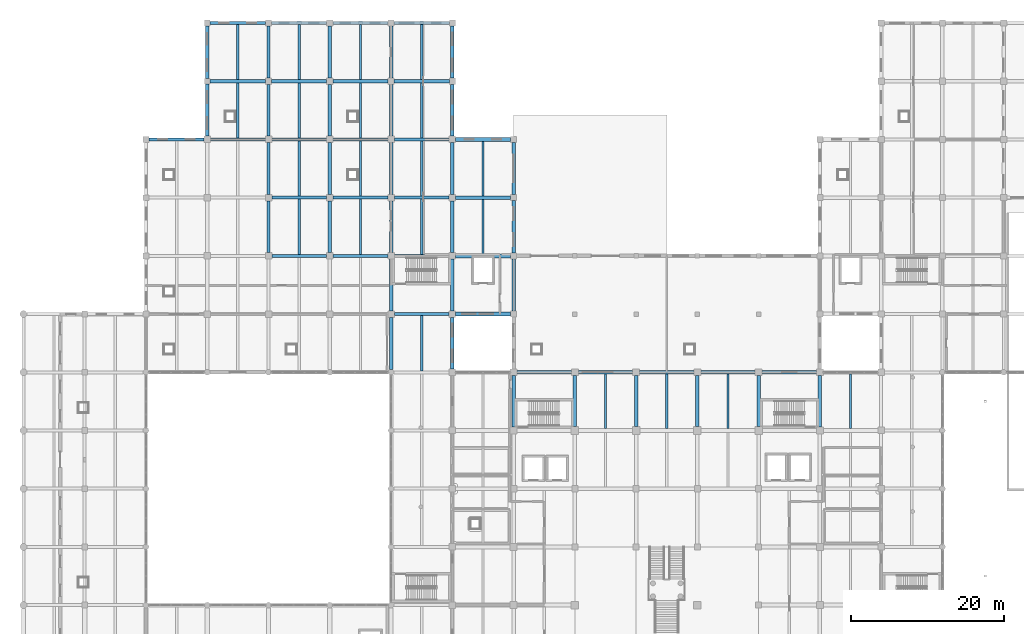
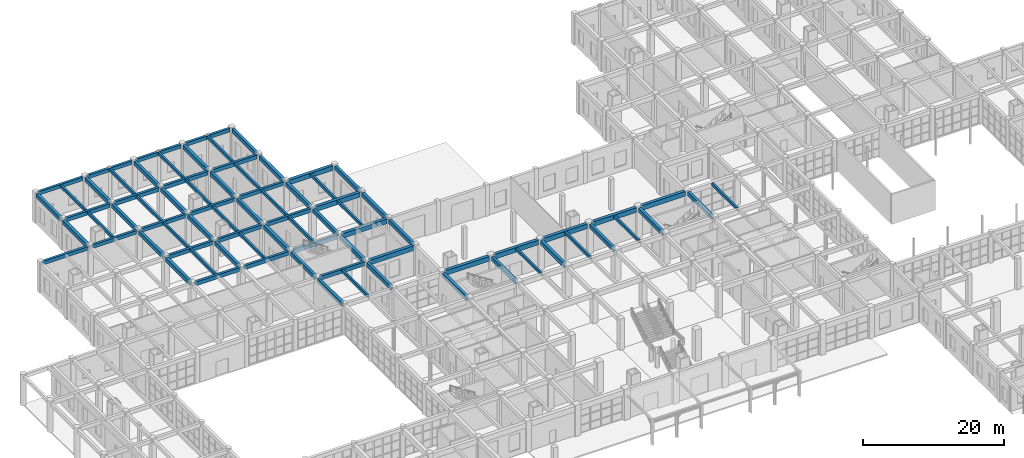
# One storey, part 44 of 95: 81 beams.
"""IFC4 building model written with IfcOpenShell, lengths in metres."""

from ifc_helpers import new_model, si_unit, direction, frame, origin, origin_2d, place, context, subcontext, project, spatial, rectangle, extrude, material, material_profile, profile_set, type_object, element, save


model = new_model("IFC4")

# Units and contexts
model_context = context("Model", 3, precision=1e-05, world=origin(), true_north=direction((0.0, 1.0)))
body_context = subcontext(model_context, "Body", "Model", "MODEL_VIEW")
ifc_project = project(units=[si_unit("LENGTHUNIT", "METRE"), si_unit("AREAUNIT", "SQUARE_METRE"), si_unit("VOLUMEUNIT", "CUBIC_METRE"), si_unit("PLANEANGLEUNIT", "RADIAN"), si_unit("MASSUNIT", "GRAM", prefix="KILO")], contexts=[model_context])

# Site, building, storey
site_placement = place(None, origin())
site = spatial("IfcSite", under=ifc_project, at=site_placement, CompositionType="ELEMENT")
building_placement = place(site_placement, origin())
building = spatial("IfcBuilding", under=site, at=building_placement, Name="Zantavel Square City Hall", CompositionType="ELEMENT")
storey_placement = place(building_placement, origin())
storey = spatial("IfcBuildingStorey", under=building, at=storey_placement, Name="L01", CompositionType="ELEMENT", Elevation=0.0)

# Beams
ifc_material = material(Name="Concrete C35/45", Category="concrete")
ifc_material_profile_1 = material_profile(ifc_material, rectangle(XDim=0.300048828125, YDim=0.5, at=origin_2d()), Name="RC 300x500")
ifc_profile_set_1 = profile_set([ifc_material_profile_1], Name="Concrete C35/45")
beam_type_1 = type_object("IfcBeamType", Name="Floor Joist RC 300x500 C35/45", PredefinedType="JOIST", material=ifc_profile_set_1)
for number, where, z_axis, x_axis, name in (
    (1, (28.0, 99.0, 4.909912109375), (0.0, 1.0, 0.0), (-1.0, 0.0, 0.0), "L01 Floor Joist JST-L01-0280-0988"),
    (2, (28.0, 106.60009765625, 4.909912109375), (0.0, 1.0, 0.0), (-1.0, 0.0, 0.0), "L01 Floor Joist JST-L01-0280-1064"),
    (3, (36.0, 83.800048828125, 4.909912109375), (0.0, 1.0, 0.0), (-1.0, 0.0, 0.0), "L01 Floor Joist JST-L01-0360-0836"),
):
    element("IfcBeam", number, at=place(storey_placement, frame(where, z_axis=z_axis, x_axis=x_axis)), inside=storey, type_object=beam_type_1, Name=name, PredefinedType="JOIST", context=body_context, shape_type="SweptSolid", body=[
        extrude(rectangle(XDim=0.300048828125, YDim=0.5, at=origin_2d()), origin(), (0.0, 0.0, 1.0), 7.199951171875),
    ])
beam_1_placement = place(storey_placement, frame((36.0, 91.39990234375, 4.909912109375), z_axis=(0.0, 1.0, 0.0), x_axis=(-1.0, 0.0, 0.0)))
element("IfcBeam", 4, at=beam_1_placement, inside=storey, type_object=beam_type_1, Name="L01 Floor Joist JST-L01-0360-0912", PredefinedType="JOIST", context=body_context, shape_type="SweptSolid", body=[
    extrude(rectangle(XDim=0.300048828125, YDim=0.5, at=origin_2d()), origin(), (0.0, 0.0, 1.0), 7.2001953125),
])
for number, where, z_axis, x_axis, name in (
    (5, (36.0, 99.0, 4.909912109375), (0.0, 1.0, 0.0), (-1.0, 0.0, 0.0), "L01 Floor Joist JST-L01-0360-0988"),
    (6, (36.0, 106.60009765625, 4.909912109375), (0.0, 1.0, 0.0), (-1.0, 0.0, 0.0), "L01 Floor Joist JST-L01-0360-1064"),
    (7, (44.0, 83.800048828125, 4.909912109375), (0.0, 1.0, 0.0), (-1.0, 0.0, 0.0), "L01 Floor Joist JST-L01-0440-0836"),
):
    element("IfcBeam", number, at=place(storey_placement, frame(where, z_axis=z_axis, x_axis=x_axis)), inside=storey, type_object=beam_type_1, Name=name, PredefinedType="JOIST", context=body_context, shape_type="SweptSolid", body=[
        extrude(rectangle(XDim=0.300048828125, YDim=0.5, at=origin_2d()), origin(), (0.0, 0.0, 1.0), 7.199951171875),
    ])
beam_2_placement = place(storey_placement, frame((44.0, 91.39990234375, 4.909912109375), z_axis=(0.0, 1.0, 0.0), x_axis=(-1.0, 0.0, 0.0)))
element("IfcBeam", 8, at=beam_2_placement, inside=storey, type_object=beam_type_1, Name="L01 Floor Joist JST-L01-0440-0912", PredefinedType="JOIST", context=body_context, shape_type="SweptSolid", body=[
    extrude(rectangle(XDim=0.300048828125, YDim=0.5, at=origin_2d()), origin(), (0.0, 0.0, 1.0), 7.2001953125),
])
for number, where, z_axis, x_axis, name in (
    (9, (44.0, 99.0, 4.909912109375), (0.0, 1.0, 0.0), (-1.0, 0.0, 0.0), "L01 Floor Joist JST-L01-0440-0988"),
    (10, (44.0, 106.60009765625, 4.909912109375), (0.0, 1.0, 0.0), (-1.0, 0.0, 0.0), "L01 Floor Joist JST-L01-0440-1064"),
    (11, (52.0, 68.60009765625, 4.909912109375), (0.0, 1.0, 0.0), (-1.0, 0.0, 0.0), "L01 Floor Joist JST-L01-0520-0684"),
    (12, (52.0, 83.800048828125, 4.909912109375), (0.0, 1.0, 0.0), (-1.0, 0.0, 0.0), "L01 Floor Joist JST-L01-0520-0836"),
):
    element("IfcBeam", number, at=place(storey_placement, frame(where, z_axis=z_axis, x_axis=x_axis)), inside=storey, type_object=beam_type_1, Name=name, PredefinedType="JOIST", context=body_context, shape_type="SweptSolid", body=[
        extrude(rectangle(XDim=0.300048828125, YDim=0.5, at=origin_2d()), origin(), (0.0, 0.0, 1.0), 7.199951171875),
    ])
beam_3_placement = place(storey_placement, frame((52.0, 91.39990234375, 4.909912109375), z_axis=(0.0, 1.0, 0.0), x_axis=(-1.0, 0.0, 0.0)))
element("IfcBeam", 13, at=beam_3_placement, inside=storey, type_object=beam_type_1, Name="L01 Floor Joist JST-L01-0520-0912", PredefinedType="JOIST", context=body_context, shape_type="SweptSolid", body=[
    extrude(rectangle(XDim=0.300048828125, YDim=0.5, at=origin_2d()), origin(), (0.0, 0.0, 1.0), 7.2001953125),
])
for number, where, z_axis, x_axis, name in (
    (14, (52.0, 99.0, 4.909912109375), (0.0, 1.0, 0.0), (-1.0, 0.0, 0.0), "L01 Floor Joist JST-L01-0520-0988"),
    (15, (52.0, 106.60009765625, 4.909912109375), (0.0, 1.0, 0.0), (-1.0, 0.0, 0.0), "L01 Floor Joist JST-L01-0520-1064"),
):
    element("IfcBeam", number, at=place(storey_placement, frame(where, z_axis=z_axis, x_axis=x_axis)), inside=storey, type_object=beam_type_1, Name=name, PredefinedType="JOIST", context=body_context, shape_type="SweptSolid", body=[
        extrude(rectangle(XDim=0.300048828125, YDim=0.5, at=origin_2d()), origin(), (0.0, 0.0, 1.0), 7.199951171875),
    ])
beam_4_placement = place(storey_placement, frame((60.0, 83.85009765625, 4.909912109375), z_axis=(0.0, 1.0, 0.0), x_axis=(-1.0, 0.0, 0.0)))
element("IfcBeam", 16, at=beam_4_placement, inside=storey, type_object=beam_type_1, Name="L01 Floor Joist JST-L01-0600-0836", PredefinedType="JOIST", context=body_context, shape_type="SweptSolid", body=[
    extrude(rectangle(XDim=0.300048828125, YDim=0.5, at=origin_2d()), origin(), (0.0, 0.0, 1.0), 7.099853515625),
])
beam_5_placement = place(storey_placement, frame((60.0, 91.449951171875, 4.909912109375), z_axis=(0.0, 1.0, 0.0), x_axis=(-1.0, 0.0, 0.0)))
element("IfcBeam", 17, at=beam_5_placement, inside=storey, type_object=beam_type_1, Name="L01 Floor Joist JST-L01-0600-0912", PredefinedType="JOIST", context=body_context, shape_type="SweptSolid", body=[
    extrude(rectangle(XDim=0.300048828125, YDim=0.5, at=origin_2d()), origin(), (0.0, 0.0, 1.0), 7.10009765625),
])
for number, where, z_axis, x_axis, name in (
    (18, (76.0, 61.050048828125, 4.909912109375), (0.0, 1.0, 0.0), (-1.0, 0.0, 0.0), "L01 Floor Joist JST-L01-0760-0608"),
    (19, (84.0, 61.050048828125, 4.909912109375), (0.0, 1.0, 0.0), (-1.0, 0.0, 0.0), "L01 Floor Joist JST-L01-0840-0608"),
    (20, (92.0, 61.050048828125, 4.909912109375), (0.0, 1.0, 0.0), (-1.0, 0.0, 0.0), "L01 Floor Joist JST-L01-0920-0608"),
    (21, (108.0, 61.050048828125, 4.909912109375), (0.0, 1.0, 0.0), (-1.0, 0.0, 0.0), "L01 Floor Joist JST-L01-1080-0608"),
):
    element("IfcBeam", number, at=place(storey_placement, frame(where, z_axis=z_axis, x_axis=x_axis)), inside=storey, type_object=beam_type_1, Name=name, PredefinedType="JOIST", context=body_context, shape_type="SweptSolid", body=[
        extrude(rectangle(XDim=0.300048828125, YDim=0.5, at=origin_2d()), origin(), (0.0, 0.0, 1.0), 7.099853515625),
    ])
ifc_material_profile_2 = material_profile(ifc_material, rectangle(XDim=0.39990234375, YDim=0.64990234375, at=origin_2d()), Name="RC 400x650")
ifc_profile_set_2 = profile_set([ifc_material_profile_2], Name="Concrete C35/45")
beam_type_2 = type_object("IfcBeamType", Name="Frame Beam RC 400x650 C35/45", PredefinedType="BEAM", material=ifc_profile_set_2)
beam_6_placement = place(storey_placement, frame((24.375, 106.39990234375, 4.8349609375), z_axis=(1.0, 0.0, 0.0), x_axis=(0.0, 1.0, 0.0)))
element("IfcBeam", 22, at=beam_6_placement, inside=storey, type_object=beam_type_2, Name="L01 Girder BMX-L01-0240-1064", PredefinedType="BEAM", context=body_context, shape_type="SweptSolid", body=[
    extrude(rectangle(XDim=0.39990234375, YDim=0.64990234375, at=origin_2d()), origin(), (0.0, 0.0, 1.0), 7.22509765625),
])
for number, where, z_axis, x_axis, name in (
    (23, (32.425048828125, 83.60009765625, 4.8349609375), (1.0, 0.0, 0.0), (0.0, 1.0, 0.0), "L01 Girder BMX-L01-0320-0836"),
    (24, (32.425048828125, 91.199951171875, 4.8349609375), (1.0, 0.0, 0.0), (0.0, 1.0, 0.0), "L01 Girder BMX-L01-0320-0912"),
):
    element("IfcBeam", number, at=place(storey_placement, frame(where, z_axis=z_axis, x_axis=x_axis)), inside=storey, type_object=beam_type_2, Name=name, PredefinedType="BEAM", context=body_context, shape_type="SweptSolid", body=[
        extrude(rectangle(XDim=0.39990234375, YDim=0.64990234375, at=origin_2d()), origin(), (0.0, 0.0, 1.0), 7.14990234375),
    ])
beam_7_placement = place(storey_placement, frame((32.39990234375, 106.39990234375, 4.8349609375), z_axis=(1.0, 0.0, 0.0), x_axis=(0.0, 1.0, 0.0)))
element("IfcBeam", 25, at=beam_7_placement, inside=storey, type_object=beam_type_2, Name="L01 Girder BMX-L01-0320-1064", PredefinedType="BEAM", context=body_context, shape_type="SweptSolid", body=[
    extrude(rectangle(XDim=0.39990234375, YDim=0.64990234375, at=origin_2d()), origin(), (0.0, 0.0, 1.0), 7.2001953125),
])
for number, where, z_axis, x_axis, name in (
    (26, (40.425048828125, 83.60009765625, 4.8349609375), (1.0, 0.0, 0.0), (0.0, 1.0, 0.0), "L01 Girder BMX-L01-0400-0836"),
    (27, (40.425048828125, 91.199951171875, 4.8349609375), (1.0, 0.0, 0.0), (0.0, 1.0, 0.0), "L01 Girder BMX-L01-0400-0912"),
):
    element("IfcBeam", number, at=place(storey_placement, frame(where, z_axis=z_axis, x_axis=x_axis)), inside=storey, type_object=beam_type_2, Name=name, PredefinedType="BEAM", context=body_context, shape_type="SweptSolid", body=[
        extrude(rectangle(XDim=0.39990234375, YDim=0.64990234375, at=origin_2d()), origin(), (0.0, 0.0, 1.0), 7.14990234375),
    ])
beam_8_placement = place(storey_placement, frame((40.39990234375, 106.39990234375, 4.8349609375), z_axis=(1.0, 0.0, 0.0), x_axis=(0.0, 1.0, 0.0)))
element("IfcBeam", 28, at=beam_8_placement, inside=storey, type_object=beam_type_2, Name="L01 Girder BMX-L01-0400-1064", PredefinedType="BEAM", context=body_context, shape_type="SweptSolid", body=[
    extrude(rectangle(XDim=0.39990234375, YDim=0.64990234375, at=origin_2d()), origin(), (0.0, 0.0, 1.0), 7.2001953125),
])
for number, where, z_axis, x_axis, name in (
    (29, (48.425048828125, 76.0, 4.8349609375), (1.0, 0.0, 0.0), (0.0, 1.0, 0.0), "L01 Girder BMX-L01-0480-0760"),
    (30, (48.425048828125, 83.60009765625, 4.8349609375), (1.0, 0.0, 0.0), (0.0, 1.0, 0.0), "L01 Girder BMX-L01-0480-0836"),
    (31, (48.425048828125, 91.199951171875, 4.8349609375), (1.0, 0.0, 0.0), (0.0, 1.0, 0.0), "L01 Girder BMX-L01-0480-0912"),
):
    element("IfcBeam", number, at=place(storey_placement, frame(where, z_axis=z_axis, x_axis=x_axis)), inside=storey, type_object=beam_type_2, Name=name, PredefinedType="BEAM", context=body_context, shape_type="SweptSolid", body=[
        extrude(rectangle(XDim=0.39990234375, YDim=0.64990234375, at=origin_2d()), origin(), (0.0, 0.0, 1.0), 7.14990234375),
    ])
beam_9_placement = place(storey_placement, frame((48.39990234375, 106.39990234375, 4.8349609375), z_axis=(1.0, 0.0, 0.0), x_axis=(0.0, 1.0, 0.0)))
element("IfcBeam", 32, at=beam_9_placement, inside=storey, type_object=beam_type_2, Name="L01 Girder BMX-L01-0480-1064", PredefinedType="BEAM", context=body_context, shape_type="SweptSolid", body=[
    extrude(rectangle(XDim=0.39990234375, YDim=0.64990234375, at=origin_2d()), origin(), (0.0, 0.0, 1.0), 7.2001953125),
])
ifc_material_profile_3 = material_profile(ifc_material, rectangle(XDim=0.39990234375, YDim=0.60009765625, at=origin_2d()), Name="RC 400x600")
ifc_profile_set_3 = profile_set([ifc_material_profile_3], Name="Concrete C35/45")
beam_type_3 = type_object("IfcBeamType", Name="Perimeter Spandrel RC 400x600 C35/45", PredefinedType="SPANDREL", material=ifc_profile_set_3)
beam_10_placement = place(storey_placement, frame((16.375, 98.800048828125, 4.860107421875), z_axis=(1.0, 0.0, 0.0), x_axis=(0.0, 1.0, 0.0)))
element("IfcBeam", 33, at=beam_10_placement, inside=storey, type_object=beam_type_3, Name="L01 Girder BMX-L01-0160-0988", PredefinedType="SPANDREL", context=body_context, shape_type="SweptSolid", body=[
    extrude(rectangle(XDim=0.39990234375, YDim=0.60009765625, at=origin_2d()), origin(), (0.0, 0.0, 1.0), 7.199951171875),
])
beam_11_placement = place(storey_placement, frame((24.425048828125, 98.800048828125, 4.860107421875), z_axis=(1.0, 0.0, 0.0), x_axis=(0.0, 1.0, 0.0)))
element("IfcBeam", 34, at=beam_11_placement, inside=storey, type_object=beam_type_3, Name="L01 Girder BMX-L01-0240-0988", PredefinedType="SPANDREL", context=body_context, shape_type="SweptSolid", body=[
    extrude(rectangle(XDim=0.39990234375, YDim=0.60009765625, at=origin_2d()), origin(), (0.0, 0.0, 1.0), 7.14990234375),
])
beam_12_placement = place(storey_placement, frame((24.375, 114.0, 4.860107421875), z_axis=(1.0, 0.0, 0.0), x_axis=(0.0, 1.0, 0.0)))
element("IfcBeam", 35, at=beam_12_placement, inside=storey, type_object=beam_type_3, Name="L01 Girder BMX-L01-0240-1140", PredefinedType="SPANDREL", context=body_context, shape_type="SweptSolid", body=[
    extrude(rectangle(XDim=0.39990234375, YDim=0.60009765625, at=origin_2d()), origin(), (0.0, 0.0, 1.0), 7.22509765625),
])
beam_13_placement = place(storey_placement, frame((32.425048828125, 98.800048828125, 4.860107421875), z_axis=(1.0, 0.0, 0.0), x_axis=(0.0, 1.0, 0.0)))
element("IfcBeam", 36, at=beam_13_placement, inside=storey, type_object=beam_type_3, Name="L01 Girder BMX-L01-0320-0988", PredefinedType="SPANDREL", context=body_context, shape_type="SweptSolid", body=[
    extrude(rectangle(XDim=0.39990234375, YDim=0.60009765625, at=origin_2d()), origin(), (0.0, 0.0, 1.0), 7.14990234375),
])
beam_14_placement = place(storey_placement, frame((32.39990234375, 114.0, 4.860107421875), z_axis=(1.0, 0.0, 0.0), x_axis=(0.0, 1.0, 0.0)))
element("IfcBeam", 37, at=beam_14_placement, inside=storey, type_object=beam_type_3, Name="L01 Girder BMX-L01-0320-1140", PredefinedType="SPANDREL", context=body_context, shape_type="SweptSolid", body=[
    extrude(rectangle(XDim=0.39990234375, YDim=0.60009765625, at=origin_2d()), origin(), (0.0, 0.0, 1.0), 7.2001953125),
])
beam_15_placement = place(storey_placement, frame((40.425048828125, 98.800048828125, 4.860107421875), z_axis=(1.0, 0.0, 0.0), x_axis=(0.0, 1.0, 0.0)))
element("IfcBeam", 38, at=beam_15_placement, inside=storey, type_object=beam_type_3, Name="L01 Girder BMX-L01-0400-0988", PredefinedType="SPANDREL", context=body_context, shape_type="SweptSolid", body=[
    extrude(rectangle(XDim=0.39990234375, YDim=0.60009765625, at=origin_2d()), origin(), (0.0, 0.0, 1.0), 7.14990234375),
])
beam_16_placement = place(storey_placement, frame((40.39990234375, 114.0, 4.860107421875), z_axis=(1.0, 0.0, 0.0), x_axis=(0.0, 1.0, 0.0)))
element("IfcBeam", 39, at=beam_16_placement, inside=storey, type_object=beam_type_3, Name="L01 Girder BMX-L01-0400-1140", PredefinedType="SPANDREL", context=body_context, shape_type="SweptSolid", body=[
    extrude(rectangle(XDim=0.39990234375, YDim=0.60009765625, at=origin_2d()), origin(), (0.0, 0.0, 1.0), 7.2001953125),
])
beam_17_placement = place(storey_placement, frame((48.425048828125, 98.800048828125, 4.860107421875), z_axis=(1.0, 0.0, 0.0), x_axis=(0.0, 1.0, 0.0)))
element("IfcBeam", 40, at=beam_17_placement, inside=storey, type_object=beam_type_3, Name="L01 Girder BMX-L01-0480-0988", PredefinedType="SPANDREL", context=body_context, shape_type="SweptSolid", body=[
    extrude(rectangle(XDim=0.39990234375, YDim=0.60009765625, at=origin_2d()), origin(), (0.0, 0.0, 1.0), 7.14990234375),
])
beam_18_placement = place(storey_placement, frame((48.39990234375, 114.0, 4.860107421875), z_axis=(1.0, 0.0, 0.0), x_axis=(0.0, 1.0, 0.0)))
element("IfcBeam", 41, at=beam_18_placement, inside=storey, type_object=beam_type_3, Name="L01 Girder BMX-L01-0480-1140", PredefinedType="SPANDREL", context=body_context, shape_type="SweptSolid", body=[
    extrude(rectangle(XDim=0.39990234375, YDim=0.60009765625, at=origin_2d()), origin(), (0.0, 0.0, 1.0), 7.2001953125),
])
ifc_material_profile_4 = material_profile(ifc_material, rectangle(XDim=0.449951171875, YDim=0.699951171875, at=origin_2d()), Name="RC 450x700")
ifc_profile_set_4 = profile_set([ifc_material_profile_4], Name="Concrete C35/45")
beam_type_4 = type_object("IfcBeamType", Name="Primary Girder RC 450x700 C35/45", PredefinedType="BEAM", material=ifc_profile_set_4)
beam_19_placement = place(storey_placement, frame((24.0, 99.22509765625, 4.81005859375), z_axis=(0.0, 1.0, 0.0), x_axis=(-1.0, 0.0, 0.0)))
element("IfcBeam", 42, at=beam_19_placement, inside=storey, type_object=beam_type_4, Name="L01 Beam BMY-L01-0240-0988", PredefinedType="BEAM", context=body_context, shape_type="SweptSolid", body=[
    extrude(rectangle(XDim=0.449951171875, YDim=0.699951171875, at=origin_2d()), origin(), (0.0, 0.0, 1.0), 6.7998046875),
])
beam_20_placement = place(storey_placement, frame((24.0, 106.77490234375, 4.81005859375), z_axis=(0.0, 1.0, 0.0), x_axis=(-1.0, 0.0, 0.0)))
element("IfcBeam", 43, at=beam_20_placement, inside=storey, type_object=beam_type_4, Name="L01 Beam BMY-L01-0240-1064", PredefinedType="BEAM", context=body_context, shape_type="SweptSolid", body=[
    extrude(rectangle(XDim=0.449951171875, YDim=0.699951171875, at=origin_2d()), origin(), (0.0, 0.0, 1.0), 6.85009765625),
])
for number, where, z_axis, x_axis, name in (
    (44, (32.0, 84.02490234375, 4.81005859375), (0.0, 1.0, 0.0), (-1.0, 0.0, 0.0), "L01 Beam BMY-L01-0320-0836"),
    (45, (32.0, 91.625, 4.81005859375), (0.0, 1.0, 0.0), (-1.0, 0.0, 0.0), "L01 Beam BMY-L01-0320-0912"),
):
    element("IfcBeam", number, at=place(storey_placement, frame(where, z_axis=z_axis, x_axis=x_axis)), inside=storey, type_object=beam_type_4, Name=name, PredefinedType="BEAM", context=body_context, shape_type="SweptSolid", body=[
        extrude(rectangle(XDim=0.449951171875, YDim=0.699951171875, at=origin_2d()), origin(), (0.0, 0.0, 1.0), 6.75),
    ])
beam_21_placement = place(storey_placement, frame((32.0, 99.22509765625, 4.81005859375), z_axis=(0.0, 1.0, 0.0), x_axis=(-1.0, 0.0, 0.0)))
element("IfcBeam", 46, at=beam_21_placement, inside=storey, type_object=beam_type_4, Name="L01 Beam BMY-L01-0320-0988", PredefinedType="BEAM", context=body_context, shape_type="SweptSolid", body=[
    extrude(rectangle(XDim=0.449951171875, YDim=0.699951171875, at=origin_2d()), origin(), (0.0, 0.0, 1.0), 6.77490234375),
])
beam_22_placement = place(storey_placement, frame((32.0, 106.800048828125, 4.81005859375), z_axis=(0.0, 1.0, 0.0), x_axis=(-1.0, 0.0, 0.0)))
element("IfcBeam", 47, at=beam_22_placement, inside=storey, type_object=beam_type_4, Name="L01 Beam BMY-L01-0320-1064", PredefinedType="BEAM", context=body_context, shape_type="SweptSolid", body=[
    extrude(rectangle(XDim=0.449951171875, YDim=0.699951171875, at=origin_2d()), origin(), (0.0, 0.0, 1.0), 6.800048828125),
])
for number, where, z_axis, x_axis, name in (
    (48, (40.0, 84.02490234375, 4.81005859375), (0.0, 1.0, 0.0), (-1.0, 0.0, 0.0), "L01 Beam BMY-L01-0400-0836"),
    (49, (40.0, 91.625, 4.81005859375), (0.0, 1.0, 0.0), (-1.0, 0.0, 0.0), "L01 Beam BMY-L01-0400-0912"),
):
    element("IfcBeam", number, at=place(storey_placement, frame(where, z_axis=z_axis, x_axis=x_axis)), inside=storey, type_object=beam_type_4, Name=name, PredefinedType="BEAM", context=body_context, shape_type="SweptSolid", body=[
        extrude(rectangle(XDim=0.449951171875, YDim=0.699951171875, at=origin_2d()), origin(), (0.0, 0.0, 1.0), 6.75),
    ])
beam_23_placement = place(storey_placement, frame((40.0, 99.22509765625, 4.81005859375), z_axis=(0.0, 1.0, 0.0), x_axis=(-1.0, 0.0, 0.0)))
element("IfcBeam", 50, at=beam_23_placement, inside=storey, type_object=beam_type_4, Name="L01 Beam BMY-L01-0400-0988", PredefinedType="BEAM", context=body_context, shape_type="SweptSolid", body=[
    extrude(rectangle(XDim=0.449951171875, YDim=0.699951171875, at=origin_2d()), origin(), (0.0, 0.0, 1.0), 6.77490234375),
])
for number, where, z_axis, x_axis, name in (
    (51, (40.0, 106.800048828125, 4.81005859375), (0.0, 1.0, 0.0), (-1.0, 0.0, 0.0), "L01 Beam BMY-L01-0400-1064"),
    (52, (48.0, 68.77490234375, 4.81005859375), (0.0, 1.0, 0.0), (-1.0, 0.0, 0.0), "L01 Beam BMY-L01-0480-0684"),
):
    element("IfcBeam", number, at=place(storey_placement, frame(where, z_axis=z_axis, x_axis=x_axis)), inside=storey, type_object=beam_type_4, Name=name, PredefinedType="BEAM", context=body_context, shape_type="SweptSolid", body=[
        extrude(rectangle(XDim=0.449951171875, YDim=0.699951171875, at=origin_2d()), origin(), (0.0, 0.0, 1.0), 6.800048828125),
    ])
for number, where, z_axis, x_axis, name in (
    (53, (48.0, 76.425048828125, 4.81005859375), (0.0, 1.0, 0.0), (-1.0, 0.0, 0.0), "L01 Beam BMY-L01-0480-0760"),
    (54, (48.0, 84.02490234375, 4.81005859375), (0.0, 1.0, 0.0), (-1.0, 0.0, 0.0), "L01 Beam BMY-L01-0480-0836"),
    (55, (48.0, 91.625, 4.81005859375), (0.0, 1.0, 0.0), (-1.0, 0.0, 0.0), "L01 Beam BMY-L01-0480-0912"),
):
    element("IfcBeam", number, at=place(storey_placement, frame(where, z_axis=z_axis, x_axis=x_axis)), inside=storey, type_object=beam_type_4, Name=name, PredefinedType="BEAM", context=body_context, shape_type="SweptSolid", body=[
        extrude(rectangle(XDim=0.449951171875, YDim=0.699951171875, at=origin_2d()), origin(), (0.0, 0.0, 1.0), 6.75),
    ])
beam_24_placement = place(storey_placement, frame((48.0, 99.22509765625, 4.81005859375), z_axis=(0.0, 1.0, 0.0), x_axis=(-1.0, 0.0, 0.0)))
element("IfcBeam", 56, at=beam_24_placement, inside=storey, type_object=beam_type_4, Name="L01 Beam BMY-L01-0480-0988", PredefinedType="BEAM", context=body_context, shape_type="SweptSolid", body=[
    extrude(rectangle(XDim=0.449951171875, YDim=0.699951171875, at=origin_2d()), origin(), (0.0, 0.0, 1.0), 6.77490234375),
])
beam_25_placement = place(storey_placement, frame((48.0, 106.800048828125, 4.81005859375), z_axis=(0.0, 1.0, 0.0), x_axis=(-1.0, 0.0, 0.0)))
element("IfcBeam", 57, at=beam_25_placement, inside=storey, type_object=beam_type_4, Name="L01 Beam BMY-L01-0480-1064", PredefinedType="BEAM", context=body_context, shape_type="SweptSolid", body=[
    extrude(rectangle(XDim=0.449951171875, YDim=0.699951171875, at=origin_2d()), origin(), (0.0, 0.0, 1.0), 6.800048828125),
])
for number, where, z_axis, x_axis, name in (
    (58, (56.0, 68.824951171875, 4.81005859375), (0.0, 1.0, 0.0), (-1.0, 0.0, 0.0), "L01 Beam BMY-L01-0560-0684"),
    (59, (56.0, 76.425048828125, 4.81005859375), (0.0, 1.0, 0.0), (-1.0, 0.0, 0.0), "L01 Beam BMY-L01-0560-0760"),
    (60, (56.0, 84.02490234375, 4.81005859375), (0.0, 1.0, 0.0), (-1.0, 0.0, 0.0), "L01 Beam BMY-L01-0560-0836"),
    (61, (56.0, 91.625, 4.81005859375), (0.0, 1.0, 0.0), (-1.0, 0.0, 0.0), "L01 Beam BMY-L01-0560-0912"),
):
    element("IfcBeam", number, at=place(storey_placement, frame(where, z_axis=z_axis, x_axis=x_axis)), inside=storey, type_object=beam_type_4, Name=name, PredefinedType="BEAM", context=body_context, shape_type="SweptSolid", body=[
        extrude(rectangle(XDim=0.449951171875, YDim=0.699951171875, at=origin_2d()), origin(), (0.0, 0.0, 1.0), 6.75),
    ])
beam_26_placement = place(storey_placement, frame((56.0, 99.22509765625, 4.81005859375), z_axis=(0.0, 1.0, 0.0), x_axis=(-1.0, 0.0, 0.0)))
element("IfcBeam", 62, at=beam_26_placement, inside=storey, type_object=beam_type_4, Name="L01 Beam BMY-L01-0560-0988", PredefinedType="BEAM", context=body_context, shape_type="SweptSolid", body=[
    extrude(rectangle(XDim=0.449951171875, YDim=0.699951171875, at=origin_2d()), origin(), (0.0, 0.0, 1.0), 6.77490234375),
])
beam_27_placement = place(storey_placement, frame((56.0, 106.800048828125, 4.81005859375), z_axis=(0.0, 1.0, 0.0), x_axis=(-1.0, 0.0, 0.0)))
element("IfcBeam", 63, at=beam_27_placement, inside=storey, type_object=beam_type_4, Name="L01 Beam BMY-L01-0560-1064", PredefinedType="BEAM", context=body_context, shape_type="SweptSolid", body=[
    extrude(rectangle(XDim=0.449951171875, YDim=0.699951171875, at=origin_2d()), origin(), (0.0, 0.0, 1.0), 6.800048828125),
])
beam_28_placement = place(storey_placement, frame((64.0, 61.27490234375, 4.81005859375), z_axis=(0.0, 1.0, 0.0), x_axis=(-1.0, 0.0, 0.0)))
element("IfcBeam", 64, at=beam_28_placement, inside=storey, type_object=beam_type_4, Name="L01 Beam BMY-L01-0640-0608", PredefinedType="BEAM", context=body_context, shape_type="SweptSolid", body=[
    extrude(rectangle(XDim=0.449951171875, YDim=0.699951171875, at=origin_2d()), origin(), (0.0, 0.0, 1.0), 6.675048828125),
])
for number, where, z_axis, x_axis, name in (
    (65, (64.0, 76.39990234375, 4.81005859375), (0.0, 1.0, 0.0), (-1.0, 0.0, 0.0), "L01 Beam BMY-L01-0640-0760"),
    (66, (64.0, 84.0, 4.81005859375), (0.0, 1.0, 0.0), (-1.0, 0.0, 0.0), "L01 Beam BMY-L01-0640-0836"),
):
    element("IfcBeam", number, at=place(storey_placement, frame(where, z_axis=z_axis, x_axis=x_axis)), inside=storey, type_object=beam_type_4, Name=name, PredefinedType="BEAM", context=body_context, shape_type="SweptSolid", body=[
        extrude(rectangle(XDim=0.449951171875, YDim=0.699951171875, at=origin_2d()), origin(), (0.0, 0.0, 1.0), 6.800048828125),
    ])
beam_29_placement = place(storey_placement, frame((64.0, 91.60009765625, 4.81005859375), z_axis=(0.0, 1.0, 0.0), x_axis=(-1.0, 0.0, 0.0)))
element("IfcBeam", 67, at=beam_29_placement, inside=storey, type_object=beam_type_4, Name="L01 Beam BMY-L01-0640-0912", PredefinedType="BEAM", context=body_context, shape_type="SweptSolid", body=[
    extrude(rectangle(XDim=0.449951171875, YDim=0.699951171875, at=origin_2d()), origin(), (0.0, 0.0, 1.0), 6.7998046875),
])
for number, where, z_axis, x_axis, name in (
    (68, (72.0, 61.300048828125, 4.81005859375), (0.0, 1.0, 0.0), (-1.0, 0.0, 0.0), "L01 Beam BMY-L01-0720-0608"),
    (69, (80.0, 61.300048828125, 4.81005859375), (0.0, 1.0, 0.0), (-1.0, 0.0, 0.0), "L01 Beam BMY-L01-0800-0608"),
    (70, (88.0, 61.300048828125, 4.81005859375), (0.0, 1.0, 0.0), (-1.0, 0.0, 0.0), "L01 Beam BMY-L01-0880-0608"),
    (71, (96.0, 61.300048828125, 4.81005859375), (0.0, 1.0, 0.0), (-1.0, 0.0, 0.0), "L01 Beam BMY-L01-0960-0608"),
):
    element("IfcBeam", number, at=place(storey_placement, frame(where, z_axis=z_axis, x_axis=x_axis)), inside=storey, type_object=beam_type_4, Name=name, PredefinedType="BEAM", context=body_context, shape_type="SweptSolid", body=[
        extrude(rectangle(XDim=0.449951171875, YDim=0.699951171875, at=origin_2d()), origin(), (0.0, 0.0, 1.0), 6.64990234375),
    ])
beam_30_placement = place(storey_placement, frame((104.0, 61.27490234375, 4.81005859375), z_axis=(0.0, 1.0, 0.0), x_axis=(-1.0, 0.0, 0.0)))
element("IfcBeam", 72, at=beam_30_placement, inside=storey, type_object=beam_type_4, Name="L01 Beam BMY-L01-1040-0608", PredefinedType="BEAM", context=body_context, shape_type="SweptSolid", body=[
    extrude(rectangle(XDim=0.449951171875, YDim=0.699951171875, at=origin_2d()), origin(), (0.0, 0.0, 1.0), 6.675048828125),
])
ifc_material_profile_5 = material_profile(ifc_material, rectangle(XDim=0.5, YDim=0.800048828125, at=origin_2d()), Name="RC 500x800")
ifc_profile_set_5 = profile_set([ifc_material_profile_5], Name="Concrete C35/45")
beam_type_5 = type_object("IfcBeamType", Name="Primary Girder RC 500x800 C35/45", PredefinedType="BEAM", material=ifc_profile_set_5)
for number, where, z_axis, x_axis, name in (
    (73, (56.425048828125, 76.0, 4.760009765625), (1.0, 0.0, 0.0), (0.0, 1.0, 0.0), "L01 Girder BMX-L01-0560-0760"),
    (74, (56.425048828125, 83.60009765625, 4.760009765625), (1.0, 0.0, 0.0), (0.0, 1.0, 0.0), "L01 Girder BMX-L01-0560-0836"),
    (75, (56.425048828125, 91.199951171875, 4.760009765625), (1.0, 0.0, 0.0), (0.0, 1.0, 0.0), "L01 Girder BMX-L01-0560-0912"),
    (76, (56.425048828125, 98.800048828125, 4.760009765625), (1.0, 0.0, 0.0), (0.0, 1.0, 0.0), "L01 Girder BMX-L01-0560-0988"),
):
    element("IfcBeam", number, at=place(storey_placement, frame(where, z_axis=z_axis, x_axis=x_axis)), inside=storey, type_object=beam_type_5, Name=name, PredefinedType="BEAM", context=body_context, shape_type="SweptSolid", body=[
        extrude(rectangle(XDim=0.5, YDim=0.800048828125, at=origin_2d()), origin(), (0.0, 0.0, 1.0), 7.175048828125),
    ])
for number, where, z_axis, x_axis, name in (
    (77, (64.449951171875, 68.39990234375, 4.760009765625), (1.0, 0.0, 0.0), (0.0, 1.0, 0.0), "L01 Girder BMX-L01-0640-0684"),
    (78, (72.449951171875, 68.39990234375, 4.760009765625), (1.0, 0.0, 0.0), (0.0, 1.0, 0.0), "L01 Girder BMX-L01-0720-0684"),
    (79, (80.449951171875, 68.39990234375, 4.760009765625), (1.0, 0.0, 0.0), (0.0, 1.0, 0.0), "L01 Girder BMX-L01-0800-0684"),
    (80, (88.449951171875, 68.39990234375, 4.760009765625), (1.0, 0.0, 0.0), (0.0, 1.0, 0.0), "L01 Girder BMX-L01-0880-0684"),
    (81, (96.449951171875, 68.39990234375, 4.760009765625), (1.0, 0.0, 0.0), (0.0, 1.0, 0.0), "L01 Girder BMX-L01-0960-0684"),
):
    element("IfcBeam", number, at=place(storey_placement, frame(where, z_axis=z_axis, x_axis=x_axis)), inside=storey, type_object=beam_type_5, Name=name, PredefinedType="BEAM", context=body_context, shape_type="SweptSolid", body=[
        extrude(rectangle(XDim=0.5, YDim=0.800048828125, at=origin_2d()), origin(), (0.0, 0.0, 1.0), 7.10009765625),
    ])

save(model, "model.ifc")
